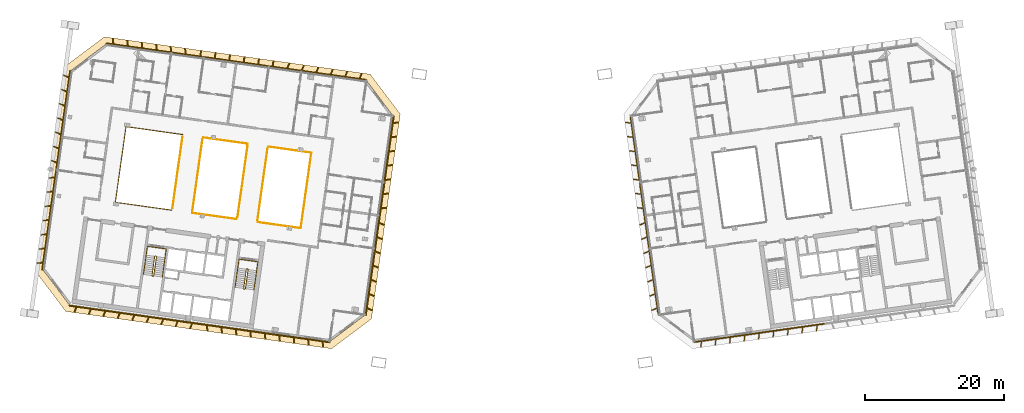
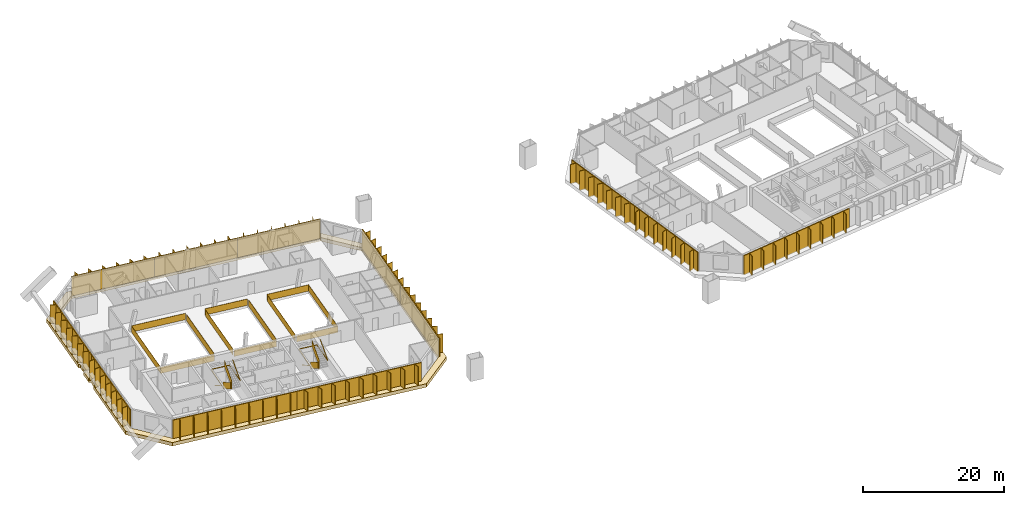
# One storey, part 24 of 25: 12 railings, 12 shading devices, 1 covering.
"""IFC4 building model written with IfcOpenShell, lengths in metres."""

from ifc_helpers import new_model, si_unit, direction, frame, origin, origin_2d, place, context, subcontext, project, spatial, polyline, rectangle, outline, extrude, material, layer, layer_set, type_object, element, save


model = new_model("IFC4")

# Units and contexts
model_context = context("Model", 3, precision=1e-05, world=origin(), true_north=direction((0.0, 1.0)))
body_context = subcontext(model_context, "Body", "Model", "MODEL_VIEW")
ifc_project = project(units=[si_unit("LENGTHUNIT", "METRE"), si_unit("AREAUNIT", "SQUARE_METRE"), si_unit("VOLUMEUNIT", "CUBIC_METRE"), si_unit("PLANEANGLEUNIT", "RADIAN"), si_unit("MASSUNIT", "GRAM", prefix="KILO")], contexts=[model_context])

# Site, building, storey
site_placement = place(None, origin())
site = spatial("IfcSite", under=ifc_project, at=site_placement, CompositionType="ELEMENT")
building_placement = place(site_placement, origin())
building = spatial("IfcBuilding", under=site, at=building_placement, Name="Mirante Cascada Hotel Towers", CompositionType="ELEMENT")
storey_placement = place(building_placement, frame((0.0, 0.0, 247.0)))
storey = spatial("IfcBuildingStorey", under=building, at=storey_placement, Name="L59", CompositionType="ELEMENT", Elevation=247.0)

# Railings
ifc_material_1 = material(Name="Toughened glass with stainless steel handrail", Category="steel")
railing_type_1 = type_object("IfcRailingType", Name="Atrium guard 1100 glass balustrade", PredefinedType="GUARDRAIL", material=ifc_material_1)
railing_1_placement = place(storey_placement, frame((-35.1788, 6.4025, 0.0)))
element("IfcRailing", 1, at=railing_1_placement, inside=storey, type_object=railing_type_1, Name="GUARD 1-L59-1", PredefinedType="GUARDRAIL", context=body_context, shape_type="SweptSolid", body=[
    extrude(rectangle(XDim=0.048, YDim=0.048, at=origin_2d()), frame((0.0, 0.0, 1.076), z_axis=(0.9902677, -0.1391758, 0.0), x_axis=(0.1391758, 0.9902677, 0.0)), (0.0, 0.0, 1.0), 6.2978),
    extrude(rectangle(XDim=0.02, YDim=1.052, at=origin_2d()), frame((0.0, 0.0, 0.526), z_axis=(0.9902677, -0.1391758, 0.0), x_axis=(0.1391758, 0.9902677, 0.0)), (0.0, 0.0, 1.0), 6.2978),
    extrude(rectangle(XDim=0.048, YDim=0.048, at=origin_2d()), frame((6.2365, -0.8765, 1.076), z_axis=(-0.1391733, -0.990268, 0.0), x_axis=(0.990268, -0.1391733, 0.0)), (0.0, 0.0, 1.0), 11.0),
    extrude(rectangle(XDim=0.02, YDim=1.052, at=origin_2d()), frame((6.2365, -0.8765, 0.526), z_axis=(-0.1391733, -0.990268, 0.0), x_axis=(0.990268, -0.1391733, 0.0)), (0.0, 0.0, 1.0), 11.0),
    extrude(rectangle(XDim=0.048, YDim=0.048, at=origin_2d()), frame((4.7056, -11.7694, 1.076), z_axis=(-0.9902677, 0.1391758, 0.0), x_axis=(-0.1391758, -0.9902677, 0.0)), (0.0, 0.0, 1.0), 6.2978),
    extrude(rectangle(XDim=0.02, YDim=1.052, at=origin_2d()), frame((4.7056, -11.7694, 0.526), z_axis=(-0.9902677, 0.1391758, 0.0), x_axis=(-0.1391758, -0.9902677, 0.0)), (0.0, 0.0, 1.0), 6.2978),
])
railing_2_placement = place(storey_placement, frame((-39.6805, -4.0729, 0.0)))
element("IfcRailing", 2, at=railing_2_placement, inside=storey, type_object=railing_type_1, Name="GUARD 1-L59-2", PredefinedType="GUARDRAIL", context=body_context, shape_type="SweptSolid", body=[
    extrude(rectangle(XDim=0.048, YDim=0.048, at=origin_2d()), frame((0.0, 0.0, 1.076), z_axis=(-0.9902673, 0.1391787, 0.0), x_axis=(-0.1391787, -0.9902673, 0.0)), (0.0, 0.0, 1.0), 6.4809),
    extrude(rectangle(XDim=0.02, YDim=1.052, at=origin_2d()), frame((0.0, 0.0, 0.526), z_axis=(-0.9902673, 0.1391787, 0.0), x_axis=(-0.1391787, -0.9902673, 0.0)), (0.0, 0.0, 1.0), 6.4809),
])
railing_3_placement = place(storey_placement, frame((-44.5674, 7.722, 0.0)))
element("IfcRailing", 3, at=railing_3_placement, inside=storey, type_object=railing_type_1, Name="GUARD 1-L59-3", PredefinedType="GUARDRAIL", context=body_context, shape_type="SweptSolid", body=[
    extrude(rectangle(XDim=0.048, YDim=0.048, at=origin_2d()), frame((0.0, 0.0, 1.076), z_axis=(0.9902673, -0.1391787, 0.0), x_axis=(0.1391787, 0.9902673, 0.0)), (0.0, 0.0, 1.0), 6.4809),
    extrude(rectangle(XDim=0.02, YDim=1.052, at=origin_2d()), frame((0.0, 0.0, 0.526), z_axis=(0.9902673, -0.1391787, 0.0), x_axis=(0.1391787, 0.9902673, 0.0)), (0.0, 0.0, 1.0), 6.4809),
])
railing_4_placement = place(storey_placement, frame((-49.0691, -2.7534, 0.0)))
element("IfcRailing", 4, at=railing_4_placement, inside=storey, type_object=railing_type_1, Name="GUARD 1-L59-4", PredefinedType="GUARDRAIL", context=body_context, shape_type="SweptSolid", body=[
    extrude(rectangle(XDim=0.048, YDim=0.048, at=origin_2d()), frame((0.0, 0.0, 1.076), z_axis=(-0.9902678, 0.1391749, 0.0), x_axis=(-0.1391749, -0.9902678, 0.0)), (0.0, 0.0, 1.0), 8.2213),
    extrude(rectangle(XDim=0.02, YDim=1.052, at=origin_2d()), frame((0.0, 0.0, 0.526), z_axis=(-0.9902678, 0.1391749, 0.0), x_axis=(-0.1391749, -0.9902678, 0.0)), (0.0, 0.0, 1.0), 8.2213),
    extrude(rectangle(XDim=0.048, YDim=0.048, at=origin_2d()), frame((-8.1413, 1.1442, 1.076), z_axis=(0.1391733, 0.990268, 0.0), x_axis=(-0.990268, 0.1391733, 0.0)), (0.0, 0.0, 1.0), 11.0),
    extrude(rectangle(XDim=0.02, YDim=1.052, at=origin_2d()), frame((-8.1413, 1.1442, 0.526), z_axis=(0.1391733, 0.990268, 0.0), x_axis=(-0.990268, 0.1391733, 0.0)), (0.0, 0.0, 1.0), 11.0),
    extrude(rectangle(XDim=0.048, YDim=0.048, at=origin_2d()), frame((-6.6104, 12.0371, 1.076), z_axis=(0.9902678, -0.1391749, 0.0), x_axis=(0.1391749, 0.9902678, 0.0)), (0.0, 0.0, 1.0), 8.2213),
    extrude(rectangle(XDim=0.02, YDim=1.052, at=origin_2d()), frame((-6.6104, 12.0371, 0.526), z_axis=(0.9902678, -0.1391749, 0.0), x_axis=(0.1391749, 0.9902678, 0.0)), (0.0, 0.0, 1.0), 8.2213),
])
railing_5_placement = place(storey_placement, frame((-48.9794, -2.4675, 0.0)))
element("IfcRailing", 5, at=railing_5_placement, inside=storey, type_object=railing_type_1, Name="GUARD 1-L59-5", PredefinedType="GUARDRAIL", context=body_context, shape_type="SweptSolid", body=[
    extrude(rectangle(XDim=0.048, YDim=0.048, at=origin_2d()), frame((0.0, 0.0, 1.076), z_axis=(0.1391721, 0.9902682, 0.0), x_axis=(-0.9902682, 0.1391721, 0.0)), (0.0, 0.0, 1.0), 10.4087),
    extrude(rectangle(XDim=0.02, YDim=1.052, at=origin_2d()), frame((0.0, 0.0, 0.526), z_axis=(0.1391721, 0.9902682, 0.0), x_axis=(-0.9902682, 0.1391721, 0.0)), (0.0, 0.0, 1.0), 10.4087),
])
railing_6_placement = place(storey_placement, frame((-44.6571, 7.436, 0.0)))
element("IfcRailing", 6, at=railing_6_placement, inside=storey, type_object=railing_type_1, Name="GUARD 1-L59-6", PredefinedType="GUARDRAIL", context=body_context, shape_type="SweptSolid", body=[
    extrude(rectangle(XDim=0.048, YDim=0.048, at=origin_2d()), frame((0.0, 0.0, 1.076), z_axis=(-0.1391721, -0.9902682, 0.0), x_axis=(0.9902682, -0.1391721, 0.0)), (0.0, 0.0, 1.0), 10.4087),
    extrude(rectangle(XDim=0.02, YDim=1.052, at=origin_2d()), frame((0.0, 0.0, 0.526), z_axis=(-0.1391721, -0.9902682, 0.0), x_axis=(0.9902682, -0.1391721, 0.0)), (0.0, 0.0, 1.0), 10.4087),
])
railing_7_placement = place(storey_placement, frame((-39.5908, -3.787, 0.0)))
element("IfcRailing", 7, at=railing_7_placement, inside=storey, type_object=railing_type_1, Name="GUARD 1-L59-7", PredefinedType="GUARDRAIL", context=body_context, shape_type="SweptSolid", body=[
    extrude(rectangle(XDim=0.048, YDim=0.048, at=origin_2d()), frame((0.0, 0.0, 1.076), z_axis=(0.1391708, 0.9902684, 0.0), x_axis=(-0.9902684, 0.1391708, 0.0)), (0.0, 0.0, 1.0), 10.4088),
    extrude(rectangle(XDim=0.02, YDim=1.052, at=origin_2d()), frame((0.0, 0.0, 0.526), z_axis=(0.1391708, 0.9902684, 0.0), x_axis=(-0.9902684, 0.1391708, 0.0)), (0.0, 0.0, 1.0), 10.4088),
])
railing_8_placement = place(storey_placement, frame((-35.2685, 6.1166, 0.0)))
element("IfcRailing", 8, at=railing_8_placement, inside=storey, type_object=railing_type_1, Name="GUARD 1-L59-8", PredefinedType="GUARDRAIL", context=body_context, shape_type="SweptSolid", body=[
    extrude(rectangle(XDim=0.048, YDim=0.048, at=origin_2d()), frame((0.0, 0.0, 1.076), z_axis=(-0.1391721, -0.9902682, 0.0), x_axis=(0.9902682, -0.1391721, 0.0)), (0.0, 0.0, 1.0), 10.4087),
    extrude(rectangle(XDim=0.02, YDim=1.052, at=origin_2d()), frame((0.0, 0.0, 0.526), z_axis=(-0.1391721, -0.9902682, 0.0), x_axis=(0.9902682, -0.1391721, 0.0)), (0.0, 0.0, 1.0), 10.4087),
])

# Covering
ifc_material_2 = material(Name="Precast concrete C40/50 white", Category="concrete")
ifc_layer = layer(ifc_material_2, 0.6)
ifc_layer_set = layer_set([ifc_layer], Name="Precast concrete SUNSHADE band 1000x600")
covering_type = type_object("IfcCoveringType", Name="Precast concrete SUNSHADE band 1000x600", PredefinedType="CLADDING", material=ifc_layer_set)
covering_placement = place(storey_placement, frame((0.0, 0.0, -0.45)))
element("IfcCovering", 9, at=covering_placement, inside=storey, type_object=covering_type, Name="Precast concrete SUNSHADE band T1 L59", PredefinedType="CLADDING", context=body_context, shape_type="SweptSolid", body=[
    extrude(outline(polyline([(-68.7156, -11.6197), (-67.0389, 0.3108), (-67.0134, 0.3174), (-66.9798, 0.3298), (-66.9476, 0.3454), (-66.917, 0.3641), (-66.8884, 0.3856), (-66.8621, 0.4099), (-66.8383, 0.4367), (-66.8172, 0.4656), (-66.799, 0.4965), (-66.784, 0.529), (-66.7722, 0.5628), (-66.7638, 0.5977), (-66.5475, 1.7362), (-66.5425, 1.7717), (-66.541, 1.8075), (-66.5431, 1.8432), (-66.5487, 1.8786), (-66.5577, 1.9133), (-66.57, 1.9469), (-66.5856, 1.9792), (-66.6043, 2.0097), (-66.6259, 2.0383), (-66.6502, 2.0647), (-66.6769, 2.0885), (-66.7059, 2.1096), (-66.7367, 2.1277), (-66.7693, 2.1428), (-66.7808, 2.1468), (-66.499, 4.152), (-66.4868, 4.1527), (-66.4514, 4.1582), (-66.4167, 4.1671), (-66.383, 4.1794), (-66.3508, 4.195), (-66.3202, 4.2136), (-66.2915, 4.2351), (-66.2652, 4.2593), (-66.2413, 4.286), (-66.2201, 4.315), (-66.2019, 4.3458), (-66.1868, 4.3783), (-66.175, 4.4121), (-66.1665, 4.4469), (-66.1615, 4.4824), (-66.0556, 5.6364), (-66.0541, 5.6722), (-66.0561, 5.708), (-66.0616, 5.7434), (-66.0705, 5.7781), (-66.0828, 5.8117), (-66.0984, 5.844), (-66.117, 5.8746), (-66.1385, 5.9032), (-66.1628, 5.9296), (-66.1895, 5.9535), (-66.2184, 5.9746), (-66.241, 5.988), (-64.5643, 17.9185), (-58.8202, 22.247), (-20.4454, 16.8537), (-16.1169, 11.1096), (-20.2682, -18.4285), (-26.0123, -22.757), (-64.3871, -17.3638), (-68.7156, -11.6197)]), holes=[polyline([(-17.1648, 10.8386), (-20.9947, 15.9211), (-58.5492, 21.199), (-63.6316, 17.3691), (-67.6677, -11.3487), (-63.8377, -16.4311), (-26.2833, -21.7091), (-21.2008, -17.8791), (-17.1648, 10.8386)])]), origin(), (0.0, 0.0, 1.0), 0.6),
])

# Railings
ifc_material_3 = material(Name="Painted steel", Category="steel")
railing_type_2 = type_object("IfcRailingType", Name="Stair guard 1100 steel balustrade", PredefinedType="GUARDRAIL", material=ifc_material_3)
railing_9_placement = place(storey_placement, frame((-38.1178, -11.2603, 0.0)))
element("IfcRailing", 10, at=railing_9_placement, inside=storey, type_object=railing_type_2, Name="L59 ST1-A stair guard 1", PredefinedType="GUARDRAIL", context=body_context, shape_type="SweptSolid", body=[
    extrude(rectangle(XDim=0.048, YDim=0.048, at=origin_2d()), frame((0.0, 0.0, 1.076), z_axis=(-0.9903326, 0.1387133, 0.0), x_axis=(-0.1387133, -0.9903326, 0.0)), (0.0, 0.0, 1.0), 0.1499),
    extrude(rectangle(XDim=0.02, YDim=1.052, at=origin_2d()), frame((0.0, 0.0, 0.526), z_axis=(-0.9903326, 0.1387133, 0.0), x_axis=(-0.1387133, -0.9903326, 0.0)), (0.0, 0.0, 1.0), 0.1499),
    extrude(rectangle(XDim=0.048, YDim=0.048, at=origin_2d()), frame((-0.1485, 0.0208, 1.076), z_axis=(-0.7991505, -0.6011309, 0.0), x_axis=(0.6011309, -0.7991505, 0.0)), (0.0, 0.9254529, 0.3788627), 0.1866),
    extrude(rectangle(XDim=0.02, YDim=1.052, at=origin_2d()), frame((-0.1485, 0.0208, 0.526), z_axis=(-0.7991505, -0.6011309, 0.0), x_axis=(0.6011309, -0.7991505, 0.0)), (0.0, 0.9254529, 0.3788627), 0.1866),
    extrude(rectangle(XDim=0.048, YDim=0.048, at=origin_2d()), frame((-0.205, -0.0217, 1.2487), z_axis=(-0.139176, -0.9902677, 0.0), x_axis=(0.9902677, -0.139176, 0.0)), (0.0, 0.5250212, 0.8510891), 3.29),
    extrude(rectangle(XDim=0.02, YDim=1.052, at=origin_2d()), frame((-0.205, -0.0217, 0.6987), z_axis=(-0.139176, -0.9902677, 0.0), x_axis=(0.9902677, -0.139176, 0.0)), (0.0, 0.5250212, 0.8510891), 3.29),
    extrude(rectangle(XDim=0.048, YDim=0.048, at=origin_2d()), frame((-0.5947, -2.7945, 2.976), z_axis=(0.9270311, -0.3749843, 0.0), x_axis=(0.3749843, 0.9270311, 0.0)), (0.0, 0.0, 1.0), 0.2061),
    extrude(rectangle(XDim=0.02, YDim=1.052, at=origin_2d()), frame((-0.5947, -2.7945, 2.426), z_axis=(0.9270311, -0.3749843, 0.0), x_axis=(0.3749843, 0.9270311, 0.0)), (0.0, 0.0, 1.0), 0.2061),
    extrude(rectangle(XDim=0.048, YDim=0.048, at=origin_2d()), frame((-0.4036, -2.8718, 2.976), z_axis=(-0.9902408, 0.1393672, 0.0), x_axis=(-0.1393672, -0.9902408, 0.0)), (0.0, 0.0, 1.0), 0.15),
    extrude(rectangle(XDim=0.02, YDim=1.052, at=origin_2d()), frame((-0.4036, -2.8718, 2.426), z_axis=(-0.9902408, 0.1393672, 0.0), x_axis=(-0.1393672, -0.9902408, 0.0)), (0.0, 0.0, 1.0), 0.15),
    extrude(rectangle(XDim=0.048, YDim=0.048, at=origin_2d()), frame((-0.5521, -2.8509, 2.976), z_axis=(0.9944948, 0.1047858, 0.0), x_axis=(-0.1047858, 0.9944948, 0.0)), (0.0, 0.6422034, 0.7665343), 0.2689),
    extrude(rectangle(XDim=0.02, YDim=1.052, at=origin_2d()), frame((-0.5521, -2.8509, 2.426), z_axis=(0.9944948, 0.1047858, 0.0), x_axis=(-0.1047858, 0.9944948, 0.0)), (0.0, 0.6422034, 0.7665343), 0.2689),
    extrude(rectangle(XDim=0.048, YDim=0.048, at=origin_2d()), frame((-0.3471, -2.8293, 3.1487), z_axis=(0.139176, 0.9902677, 0.0), x_axis=(-0.9902677, 0.139176, 0.0)), (0.0, 0.5250212, 0.8510891), 3.29),
    extrude(rectangle(XDim=0.02, YDim=1.052, at=origin_2d()), frame((-0.3471, -2.8293, 2.5987), z_axis=(0.139176, 0.9902677, 0.0), x_axis=(-0.9902677, 0.139176, 0.0)), (0.0, 0.5250212, 0.8510891), 3.29),
])
railing_10_placement = place(storey_placement, frame((-51.3379, -9.4024, 0.0)))
element("IfcRailing", 11, at=railing_10_placement, inside=storey, type_object=railing_type_2, Name="L59 ST1-B stair guard 1", PredefinedType="GUARDRAIL", context=body_context, shape_type="SweptSolid", body=[
    extrude(rectangle(XDim=0.048, YDim=0.048, at=origin_2d()), frame((0.0, 0.0, 1.076), z_axis=(-0.9902408, 0.1393672, 0.0), x_axis=(-0.1393672, -0.9902408, 0.0)), (0.0, 0.0, 1.0), 0.15),
    extrude(rectangle(XDim=0.02, YDim=1.052, at=origin_2d()), frame((0.0, 0.0, 0.526), z_axis=(-0.9902408, 0.1393672, 0.0), x_axis=(-0.1393672, -0.9902408, 0.0)), (0.0, 0.0, 1.0), 0.15),
    extrude(rectangle(XDim=0.048, YDim=0.048, at=origin_2d()), frame((-0.1485, 0.0209, 1.076), z_axis=(-0.7984711, -0.6020331, 0.0), x_axis=(0.6020331, -0.7984711, 0.0)), (0.0, 0.9253398, 0.3791387), 0.1866),
    extrude(rectangle(XDim=0.02, YDim=1.052, at=origin_2d()), frame((-0.1485, 0.0209, 0.526), z_axis=(-0.7984711, -0.6020331, 0.0), x_axis=(0.6020331, -0.7984711, 0.0)), (0.0, 0.9253398, 0.3791387), 0.1866),
    extrude(rectangle(XDim=0.048, YDim=0.048, at=origin_2d()), frame((-0.205, -0.0217, 1.2487), z_axis=(-0.139181, -0.990267, 0.0), x_axis=(0.990267, -0.139181, 0.0)), (0.0, 0.5250347, 0.8510808), 3.2899),
    extrude(rectangle(XDim=0.02, YDim=1.052, at=origin_2d()), frame((-0.205, -0.0217, 0.6987), z_axis=(-0.139181, -0.990267, 0.0), x_axis=(0.990267, -0.139181, 0.0)), (0.0, 0.5250347, 0.8510808), 3.2899),
    extrude(rectangle(XDim=0.048, YDim=0.048, at=origin_2d()), frame((-0.5947, -2.7944, 2.976), z_axis=(0.9268624, -0.3754011, 0.0), x_axis=(0.3754011, 0.9268624, 0.0)), (0.0, 0.0, 1.0), 0.2062),
    extrude(rectangle(XDim=0.02, YDim=1.052, at=origin_2d()), frame((-0.5947, -2.7944, 2.426), z_axis=(0.9268624, -0.3754011, 0.0), x_axis=(0.3754011, 0.9268624, 0.0)), (0.0, 0.0, 1.0), 0.2062),
    extrude(rectangle(XDim=0.048, YDim=0.048, at=origin_2d()), frame((-0.4036, -2.8718, 2.976), z_axis=(-0.9902408, 0.1393672, 0.0), x_axis=(-0.1393672, -0.9902408, 0.0)), (0.0, 0.0, 1.0), 0.15),
    extrude(rectangle(XDim=0.02, YDim=1.052, at=origin_2d()), frame((-0.4036, -2.8718, 2.426), z_axis=(-0.9902408, 0.1393672, 0.0), x_axis=(-0.1393672, -0.9902408, 0.0)), (0.0, 0.0, 1.0), 0.15),
    extrude(rectangle(XDim=0.048, YDim=0.048, at=origin_2d()), frame((-0.5521, -2.8509, 2.976), z_axis=(0.9944441, 0.1052656, 0.0), x_axis=(-0.1052656, 0.9944441, 0.0)), (0.0, 0.6421842, 0.7665504), 0.2689),
    extrude(rectangle(XDim=0.02, YDim=1.052, at=origin_2d()), frame((-0.5521, -2.8509, 2.426), z_axis=(0.9944441, 0.1052656, 0.0), x_axis=(-0.1052656, 0.9944441, 0.0)), (0.0, 0.6421842, 0.7665504), 0.2689),
    extrude(rectangle(XDim=0.048, YDim=0.048, at=origin_2d()), frame((-0.3471, -2.8292, 3.1487), z_axis=(0.139181, 0.990267, 0.0), x_axis=(-0.990267, 0.139181, 0.0)), (0.0, 0.5250347, 0.8510808), 3.2899),
    extrude(rectangle(XDim=0.02, YDim=1.052, at=origin_2d()), frame((-0.3471, -2.8292, 2.5987), z_axis=(0.139181, 0.990267, 0.0), x_axis=(-0.990267, 0.139181, 0.0)), (0.0, 0.5250347, 0.8510808), 3.2899),
])
ifc_material_4 = material(Name="Painted steel", Category="steel")
railing_type_3 = type_object("IfcRailingType", Name="Stair handrail 900 steel tube", PredefinedType="HANDRAIL", material=ifc_material_4)
railing_11_placement = place(storey_placement, frame((-39.5606, -11.1081, 0.1727)))
element("IfcRailing", 12, at=railing_11_placement, inside=storey, type_object=railing_type_3, Name="L59 ST1-A stair handrail 1", PredefinedType="HANDRAIL", context=body_context, shape_type="SweptSolid", body=[
    extrude(rectangle(XDim=0.048, YDim=0.048, at=origin_2d()), frame((0.0, 0.0, 0.876), z_axis=(-0.139181, -0.990267, 0.0), x_axis=(0.990267, -0.139181, 0.0)), (0.0, 0.5250347, 0.8510808), 3.2899),
    extrude(rectangle(XDim=0.048, YDim=0.048, at=origin_2d()), frame((-0.3897, -2.7727, 2.6033), z_axis=(0.1391707, 0.9902684, 0.0), x_axis=(-0.9902684, 0.1391707, 0.0)), (0.0, 0.0420846, 0.999114), 4.1036),
    extrude(rectangle(XDim=0.048, YDim=0.048, at=origin_2d()), frame((0.1809, 1.2874, 2.776), z_axis=(0.9902691, -0.1391657, 0.0), x_axis=(0.1391657, 0.9902691, 0.0)), (0.0, 0.0, 1.0), 2.75),
    extrude(rectangle(XDim=0.048, YDim=0.048, at=origin_2d()), frame((2.9041, 0.9047, 2.776), z_axis=(-0.1391707, -0.9902684, 0.0), x_axis=(0.9902684, -0.1391707, 0.0)), (0.0, 0.0, 1.0), 4.1),
    extrude(rectangle(XDim=0.048, YDim=0.048, at=origin_2d()), frame((2.3335, -3.1554, 2.776), z_axis=(0.139181, 0.990267, 0.0), x_axis=(-0.990267, 0.139181, 0.0)), (0.0, 0.5250347, 0.8510808), 3.2899),
])
railing_12_placement = place(storey_placement, frame((-52.7807, -9.2501, 0.1727)))
element("IfcRailing", 13, at=railing_12_placement, inside=storey, type_object=railing_type_3, Name="L59 ST1-B stair handrail 1", PredefinedType="HANDRAIL", context=body_context, shape_type="SweptSolid", body=[
    extrude(rectangle(XDim=0.048, YDim=0.048, at=origin_2d()), frame((0.0, 0.0, 0.876), z_axis=(-0.139181, -0.990267, 0.0), x_axis=(0.990267, -0.139181, 0.0)), (0.0, 0.5250347, 0.8510808), 3.2899),
    extrude(rectangle(XDim=0.048, YDim=0.048, at=origin_2d()), frame((-0.3897, -2.7727, 2.6033), z_axis=(0.1391707, 0.9902684, 0.0), x_axis=(-0.9902684, 0.1391707, 0.0)), (0.0, 0.0420846, 0.999114), 4.1036),
    extrude(rectangle(XDim=0.048, YDim=0.048, at=origin_2d()), frame((0.1809, 1.2874, 2.776), z_axis=(0.9902641, -0.1392013, 0.0), x_axis=(0.1392013, 0.9902641, 0.0)), (0.0, 0.0, 1.0), 2.75),
    extrude(rectangle(XDim=0.048, YDim=0.048, at=origin_2d()), frame((2.9041, 0.9046, 2.776), z_axis=(-0.1391707, -0.9902684, 0.0), x_axis=(0.9902684, -0.1391707, 0.0)), (0.0, 0.0, 1.0), 4.1),
    extrude(rectangle(XDim=0.048, YDim=0.048, at=origin_2d()), frame((2.3335, -3.1555, 2.776), z_axis=(0.139176, 0.9902677, 0.0), x_axis=(-0.9902677, 0.139176, 0.0)), (0.0, 0.5250212, 0.8510891), 3.29),
])

# Shading devices
ifc_material_5 = material(Name="White precast concrete C50/60 fin", Category="concrete")
shading_device_type = type_object("IfcShadingDeviceType", Name="Vertical fin set 4500x900", PredefinedType="USERDEFINED", material=ifc_material_5)
shading_device_1_placement = place(storey_placement, origin())
element("IfcShadingDevice", 14, at=shading_device_1_placement, inside=storey, type_object=shading_device_type, Name="FIN T1 L59 front 1", ObjectType="FIN", PredefinedType="USERDEFINED", context=body_context, shape_type="SweptSolid", body=[
    extrude(outline(polyline([(-47.1303, 20.5835), (-47.0256, 19.731), (-46.0101, 19.5883), (-46.031, 19.4397), (-58.5492, 21.199), (-58.5283, 21.3476), (-57.5394, 21.2086), (-57.6414, 22.0399), (-57.562, 22.0496), (-57.4574, 21.1971), (-55.453, 20.9154), (-55.5551, 21.7467), (-55.4757, 21.7564), (-55.371, 20.9039), (-53.3667, 20.6222), (-53.4687, 21.4534), (-53.3893, 21.4632), (-53.2846, 20.6106), (-51.2803, 20.3289), (-51.3824, 21.1602), (-51.303, 21.17), (-51.1983, 20.3174), (-49.1939, 20.0357), (-49.296, 20.867), (-49.2166, 20.8768), (-49.1119, 20.0242), (-47.1076, 19.7425), (-47.2097, 20.5738), (-47.1303, 20.5835)])), origin(), (0.0, 0.0, 1.0), 3.35),
])
shading_device_2_placement = place(storey_placement, origin())
element("IfcShadingDevice", 15, at=shading_device_2_placement, inside=storey, type_object=shading_device_type, Name="FIN T1 L59 front 2", ObjectType="FIN", PredefinedType="USERDEFINED", context=body_context, shape_type="SweptSolid", body=[
    extrude(outline(polyline([(-34.3773, 18.8117), (-34.4956, 17.97), (-33.492, 17.829), (-33.5129, 17.6804), (-46.031, 19.4397), (-46.0101, 19.5883), (-45.0066, 19.4472), (-44.8883, 20.289), (-44.809, 20.2778), (-44.9273, 19.4361), (-42.9202, 19.154), (-42.8019, 19.9957), (-42.7227, 19.9846), (-42.841, 19.1429), (-40.8339, 18.8608), (-40.7156, 19.7025), (-40.6363, 19.6914), (-40.7546, 18.8497), (-38.7475, 18.5676), (-38.6292, 19.4093), (-38.55, 19.3982), (-38.6683, 18.5564), (-36.6611, 18.2744), (-36.5428, 19.1161), (-36.4636, 19.105), (-36.5819, 18.2632), (-34.5748, 17.9811), (-34.4565, 18.8229), (-34.3773, 18.8117)])), origin(), (0.0, 0.0, 1.0), 3.35),
])
shading_device_3_placement = place(storey_placement, origin())
element("IfcShadingDevice", 16, at=shading_device_3_placement, inside=storey, type_object=shading_device_type, Name="FIN T1 L59 front 3", ObjectType="FIN", PredefinedType="USERDEFINED", context=body_context, shape_type="SweptSolid", body=[
    extrude(outline(polyline([(-21.6355, 16.9796), (-21.9627, 16.2086), (-20.9738, 16.0697), (-20.9947, 15.9211), (-33.5129, 17.6804), (-33.492, 17.829), (-32.4766, 17.6863), (-32.1409, 18.4769), (-32.0673, 18.4457), (-32.3945, 17.6747), (-30.3902, 17.393), (-30.0546, 18.1837), (-29.9809, 18.1524), (-30.3082, 17.3815), (-28.3038, 17.0998), (-27.9682, 17.8905), (-27.8946, 17.8592), (-28.2218, 17.0883), (-26.2175, 16.8066), (-25.8819, 17.5973), (-25.8082, 17.566), (-26.1355, 16.7951), (-24.1311, 16.5134), (-23.7955, 17.3041), (-23.7219, 17.2728), (-24.0491, 16.5019), (-22.0448, 16.2202), (-21.7091, 17.0108), (-21.6355, 16.9796)])), origin(), (0.0, 0.0, 1.0), 3.35),
])
shading_device_4_placement = place(storey_placement, origin())
element("IfcShadingDevice", 17, at=shading_device_4_placement, inside=storey, type_object=shading_device_type, Name="FIN T1 L59 inner 1", ObjectType="FIN", PredefinedType="USERDEFINED", context=body_context, shape_type="SweptSolid", body=[
    extrude(outline(polyline([(-18.894, -2.5432), (-19.0343, -3.5411), (-19.1828, -3.5203), (-17.1648, 10.8386), (-17.0163, 10.8178), (-17.1528, 9.8464), (-16.3215, 9.9485), (-16.3117, 9.8691), (-17.1643, 9.7644), (-17.4411, 7.7951), (-16.6098, 7.8972), (-16.6, 7.8178), (-17.4526, 7.7131), (-17.7293, 5.7439), (-16.8981, 5.8459), (-16.8883, 5.7665), (-17.7409, 5.6618), (-18.0176, 3.6926), (-17.1864, 3.7947), (-17.1766, 3.7152), (-18.0292, 3.6106), (-18.3059, 1.6413), (-17.4746, 1.7434), (-17.4649, 1.664), (-18.3174, 1.5593), (-18.5942, -0.41), (-17.7629, -0.3079), (-17.7532, -0.3873), (-18.6057, -0.492), (-18.8825, -2.4612), (-18.0512, -2.3592), (-18.0415, -2.4386), (-18.894, -2.5432)])), origin(), (0.0, 0.0, 1.0), 3.35),
])
shading_device_5_placement = place(storey_placement, origin())
element("IfcShadingDevice", 18, at=shading_device_5_placement, inside=storey, type_object=shading_device_type, Name="FIN T1 L59 inner 2", ObjectType="FIN", PredefinedType="USERDEFINED", context=body_context, shape_type="SweptSolid", body=[
    extrude(outline(polyline([(-20.9158, -16.9287), (-21.0523, -17.9), (-21.2008, -17.8791), (-19.1828, -3.5203), (-19.0343, -3.5411), (-19.1745, -4.539), (-18.3838, -4.8746), (-18.4151, -4.9483), (-19.186, -4.621), (-19.4628, -6.5903), (-18.6721, -6.9259), (-18.7034, -6.9996), (-19.4743, -6.6723), (-19.7511, -8.6416), (-18.9604, -8.9772), (-18.9917, -9.0508), (-19.7626, -8.7236), (-20.0394, -10.6928), (-19.2487, -11.0285), (-19.28, -11.1021), (-20.0509, -10.7749), (-20.3277, -12.7441), (-19.537, -13.0797), (-19.5682, -13.1534), (-20.3392, -12.8261), (-20.6159, -14.7954), (-19.8253, -15.131), (-19.8565, -15.2046), (-20.6275, -14.8774), (-20.9042, -16.8466), (-20.1136, -17.1823), (-20.1448, -17.2559), (-20.9158, -16.9287)])), origin(), (0.0, 0.0, 1.0), 3.35),
])
shading_device_6_placement = place(storey_placement, origin())
element("IfcShadingDevice", 19, at=shading_device_6_placement, inside=storey, type_object=shading_device_type, Name="FIN T1 L59 outer 1", ObjectType="FIN", PredefinedType="USERDEFINED", context=body_context, shape_type="SweptSolid", body=[
    extrude(outline(polyline([(-67.6682, -10.2744), (-67.3914, -8.3052), (-68.2227, -8.4072), (-68.2324, -8.3278), (-67.3799, -8.2231), (-67.1031, -6.2539), (-67.9344, -6.3559), (-67.9441, -6.2765), (-67.0916, -6.1719), (-66.8148, -4.2026), (-67.6461, -4.3047), (-67.6558, -4.2253), (-66.8033, -4.1206), (-66.5265, -2.1513), (-67.3578, -2.2534), (-67.3676, -2.174), (-66.515, -2.0693), (-66.2382, -0.1001), (-67.0695, -0.2021), (-67.0793, -0.1227), (-66.2267, -0.0181), (-65.95, 1.9512), (-66.7812, 1.8491), (-66.791, 1.9285), (-65.9384, 2.0332), (-65.7982, 3.0311), (-65.6497, 3.0102), (-67.6677, -11.3487), (-67.8162, -11.3278), (-67.6797, -10.3564), (-68.511, -10.4585), (-68.5207, -10.3791), (-67.6682, -10.2744)])), origin(), (0.0, 0.0, 1.0), 3.35),
])
shading_device_7_placement = place(storey_placement, origin())
element("IfcShadingDevice", 20, at=shading_device_7_placement, inside=storey, type_object=shading_device_type, Name="FIN T1 L59 outer 2", ObjectType="FIN", PredefinedType="USERDEFINED", context=body_context, shape_type="SweptSolid", body=[
    extrude(outline(polyline([(-65.6464, 4.111), (-65.3697, 6.0803), (-66.1603, 6.4159), (-66.1291, 6.4895), (-65.3581, 6.1623), (-65.0814, 8.1315), (-65.872, 8.4672), (-65.8408, 8.5408), (-65.0698, 8.2136), (-64.7931, 10.1828), (-65.5838, 10.5184), (-65.5525, 10.5921), (-64.7816, 10.2648), (-64.5048, 12.2341), (-65.2955, 12.5697), (-65.2642, 12.6433), (-64.4933, 12.3161), (-64.2165, 14.2853), (-65.0072, 14.621), (-64.9759, 14.6946), (-64.205, 14.3674), (-63.9282, 16.3366), (-64.7189, 16.6722), (-64.6876, 16.7459), (-63.9167, 16.4186), (-63.7802, 17.39), (-63.6316, 17.3691), (-65.6497, 3.0102), (-65.7982, 3.0311), (-65.6579, 4.029), (-66.4486, 4.3646), (-66.4174, 4.4383), (-65.6464, 4.111)])), origin(), (0.0, 0.0, 1.0), 3.35),
])
shading_device_8_placement = place(storey_placement, origin())
element("IfcShadingDevice", 21, at=shading_device_8_placement, inside=storey, type_object=shading_device_type, Name="FIN T1 L59 rear 1", ObjectType="FIN", PredefinedType="USERDEFINED", context=body_context, shape_type="SweptSolid", body=[
    extrude(outline(polyline([(-27.3751, -21.7071), (-29.3794, -21.4254), (-29.2774, -22.2567), (-29.3568, -22.2664), (-29.4615, -21.4139), (-31.4658, -21.1322), (-31.3637, -21.9635), (-31.4431, -21.9732), (-31.5478, -21.1207), (-33.5522, -20.839), (-33.4501, -21.6703), (-33.5295, -21.68), (-33.6342, -20.8274), (-35.6385, -20.5458), (-35.5364, -21.377), (-35.6158, -21.3868), (-35.7205, -20.5342), (-37.7249, -20.2525), (-37.6228, -21.0838), (-37.7022, -21.0936), (-37.8069, -20.241), (-39.8112, -19.9593), (-39.7092, -20.7906), (-39.7886, -20.8003), (-39.8932, -19.9478), (-41.8976, -19.6661), (-41.7955, -20.4974), (-41.8749, -20.5071), (-41.9796, -19.6546), (-43.9839, -19.3729), (-43.8819, -20.2042), (-43.9613, -20.2139), (-44.066, -19.3614), (-45.0814, -19.2186), (-45.0605, -19.0701), (-26.2833, -21.7091), (-26.3042, -21.8576), (-27.2931, -21.7186), (-27.191, -22.5499), (-27.2704, -22.5597), (-27.3751, -21.7071)])), origin(), (0.0, 0.0, 1.0), 3.35),
])
shading_device_9_placement = place(storey_placement, origin())
element("IfcShadingDevice", 22, at=shading_device_9_placement, inside=storey, type_object=shading_device_type, Name="FIN T1 L59 rear 2", ObjectType="FIN", PredefinedType="USERDEFINED", context=body_context, shape_type="SweptSolid", body=[
    extrude(outline(polyline([(-46.1788, -19.0644), (-48.1832, -18.7827), (-48.5188, -19.5734), (-48.5924, -19.5421), (-48.2652, -18.7712), (-50.2695, -18.4895), (-50.6052, -19.2802), (-50.6788, -19.2489), (-50.3516, -18.478), (-52.3559, -18.1963), (-52.6915, -18.987), (-52.7652, -18.9557), (-52.4379, -18.1848), (-54.4423, -17.9031), (-54.7779, -18.6937), (-54.8515, -18.6625), (-54.5243, -17.8915), (-56.5286, -17.6098), (-56.8642, -18.4005), (-56.9379, -18.3693), (-56.6106, -17.5983), (-58.615, -17.3166), (-58.9506, -18.1073), (-59.0242, -18.076), (-58.697, -17.3051), (-60.7013, -17.0234), (-61.037, -17.8141), (-61.1106, -17.7828), (-60.7833, -17.0119), (-62.7877, -16.7302), (-63.1233, -17.5209), (-63.1969, -17.4896), (-62.8697, -16.7187), (-63.8586, -16.5797), (-63.8377, -16.4311), (-45.0605, -19.0701), (-45.0814, -19.2186), (-46.0968, -19.0759), (-46.4324, -19.8666), (-46.5061, -19.8353), (-46.1788, -19.0644)])), origin(), (0.0, 0.0, 1.0), 3.35),
])
shading_device_10_placement = place(storey_placement, origin())
element("IfcShadingDevice", 23, at=shading_device_10_placement, inside=storey, type_object=shading_device_type, Name="FIN T2 L59 inner 1", ObjectType="FIN", PredefinedType="USERDEFINED", context=body_context, shape_type="SweptSolid", body=[
    extrude(outline(polyline([(18.0512, -2.3592), (18.8825, -2.4612), (18.6057, -0.492), (17.7532, -0.3873), (17.7629, -0.3079), (18.5942, -0.41), (18.3174, 1.5593), (17.4649, 1.664), (17.4746, 1.7434), (18.3059, 1.6413), (18.0292, 3.6106), (17.1766, 3.7152), (17.1864, 3.7947), (18.0176, 3.6926), (17.7409, 5.6618), (16.8883, 5.7665), (16.8981, 5.8459), (17.7293, 5.7439), (17.4526, 7.7131), (16.6, 7.8178), (16.6098, 7.8972), (17.4411, 7.7951), (17.1643, 9.7644), (16.3117, 9.8691), (16.3215, 9.9485), (17.1528, 9.8464), (17.0163, 10.8178), (17.1648, 10.8386), (19.1828, -3.5203), (19.0343, -3.5411), (18.894, -2.5432), (18.0415, -2.4386), (18.0512, -2.3592)])), origin(), (0.0, 0.0, 1.0), 3.35),
])
shading_device_11_placement = place(storey_placement, origin())
element("IfcShadingDevice", 24, at=shading_device_11_placement, inside=storey, type_object=shading_device_type, Name="FIN T2 L59 inner 2", ObjectType="FIN", PredefinedType="USERDEFINED", context=body_context, shape_type="SweptSolid", body=[
    extrude(outline(polyline([(20.1136, -17.1823), (20.9042, -16.8466), (20.6275, -14.8774), (19.8565, -15.2046), (19.8253, -15.131), (20.6159, -14.7954), (20.3392, -12.8261), (19.5682, -13.1534), (19.537, -13.0797), (20.3277, -12.7441), (20.0509, -10.7749), (19.28, -11.1021), (19.2487, -11.0285), (20.0394, -10.6928), (19.7626, -8.7236), (18.9917, -9.0508), (18.9604, -8.9772), (19.7511, -8.6416), (19.4743, -6.6723), (18.7034, -6.9996), (18.6721, -6.9259), (19.4628, -6.5903), (19.186, -4.621), (18.4151, -4.9483), (18.3838, -4.8746), (19.1745, -4.539), (19.0343, -3.5411), (19.1828, -3.5203), (21.2008, -17.8791), (21.0523, -17.9), (20.9158, -16.9287), (20.1448, -17.2559), (20.1136, -17.1823)])), origin(), (0.0, 0.0, 1.0), 3.35),
])
shading_device_12_placement = place(storey_placement, origin())
element("IfcShadingDevice", 25, at=shading_device_12_placement, inside=storey, type_object=shading_device_type, Name="FIN T2 L59 rear 1", ObjectType="FIN", PredefinedType="USERDEFINED", context=body_context, shape_type="SweptSolid", body=[
    extrude(outline(polyline([(27.191, -22.5499), (27.2931, -21.7186), (26.3042, -21.8576), (26.2833, -21.7091), (45.0605, -19.0701), (45.0814, -19.2186), (44.066, -19.3614), (43.9613, -20.2139), (43.8819, -20.2042), (43.9839, -19.3729), (41.9796, -19.6546), (41.8749, -20.5071), (41.7955, -20.4974), (41.8976, -19.6661), (39.8932, -19.9478), (39.7886, -20.8003), (39.7092, -20.7906), (39.8112, -19.9593), (37.8069, -20.241), (37.7022, -21.0936), (37.6228, -21.0838), (37.7249, -20.2525), (35.7205, -20.5342), (35.6158, -21.3868), (35.5364, -21.377), (35.6385, -20.5458), (33.6342, -20.8274), (33.5295, -21.68), (33.4501, -21.6703), (33.5522, -20.839), (31.5478, -21.1207), (31.4431, -21.9732), (31.3637, -21.9635), (31.4658, -21.1322), (29.4615, -21.4139), (29.3568, -22.2664), (29.2774, -22.2567), (29.3794, -21.4254), (27.3751, -21.7071), (27.2704, -22.5597), (27.191, -22.5499)])), origin(), (0.0, 0.0, 1.0), 3.35),
])

save(model, "model.ifc")
